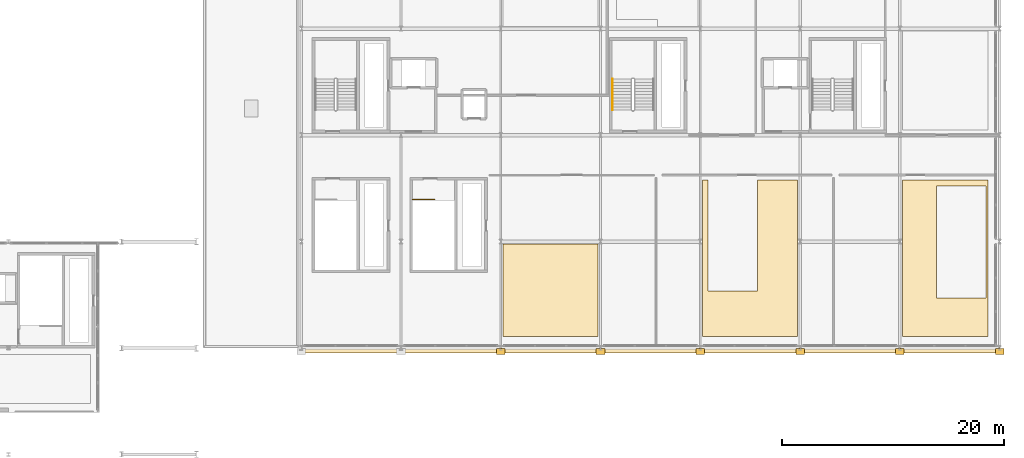
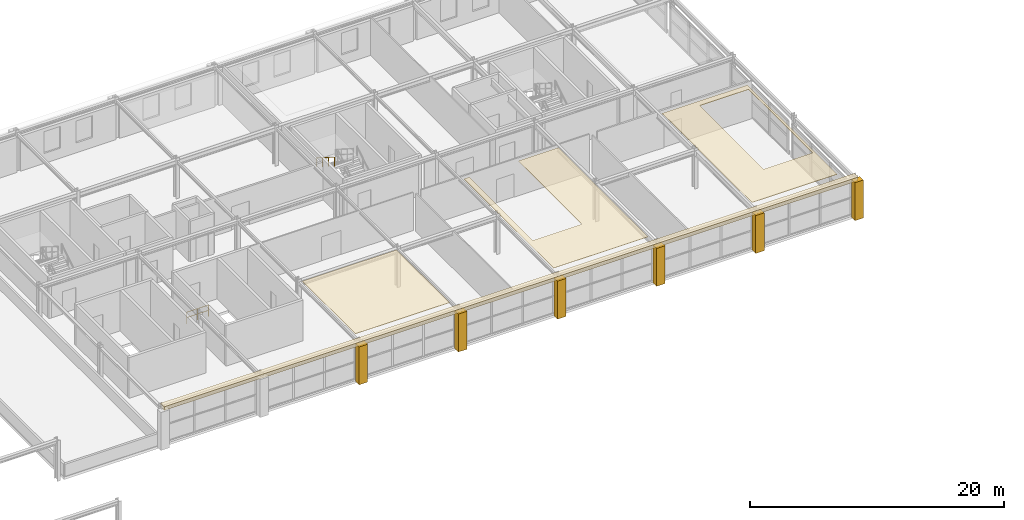
# One storey, part 49 of 52: 10 coverings, 2 railings.
"""IFC4 building model written with IfcOpenShell, lengths in metres."""

from ifc_helpers import new_model, si_unit, direction, frame, origin, origin_2d, place, context, subcontext, project, spatial, polyline, rectangle, outline, extrude, material, layer, layer_set, type_object, element, save


model = new_model("IFC4")

# Units and contexts
model_context = context("Model", 3, precision=1e-05, world=origin(), true_north=direction((0.0, 1.0)))
body_context = subcontext(model_context, "Body", "Model", "MODEL_VIEW")
ifc_project = project(units=[si_unit("LENGTHUNIT", "METRE"), si_unit("AREAUNIT", "SQUARE_METRE"), si_unit("VOLUMEUNIT", "CUBIC_METRE"), si_unit("PLANEANGLEUNIT", "RADIAN"), si_unit("MASSUNIT", "GRAM", prefix="KILO")], contexts=[model_context])

# Site, building, storey
site_placement = place(None, origin())
site = spatial("IfcSite", under=ifc_project, at=site_placement, CompositionType="ELEMENT")
building_placement = place(site_placement, origin())
building = spatial("IfcBuilding", under=site, at=building_placement, Name="Myrtia Square Station", CompositionType="ELEMENT")
storey_placement = place(building_placement, frame((0.0, 0.0, 15.0)))
storey = spatial("IfcBuildingStorey", under=building, at=storey_placement, Name="L03", CompositionType="ELEMENT", Elevation=15.0)

# Coverings
ifc_material_1 = material(Name="Pentelic marble ashlar", Category="masonry")
ifc_layer_1 = layer(ifc_material_1, 0.4599609375, Name="Pentelic marble ashlar")
ifc_layer_set_1 = layer_set([ifc_layer_1], Name="Pentelic marble ashlar")
covering_type_1 = type_object("IfcCoveringType", Name="COV-ARCH-ASHLAR", PredefinedType="CLADDING", material=ifc_layer_set_1)
for number, where, z_axis, x_axis, name in (
    (1, (144.0, 86.080078125, -0.0400390625), (0.0, 0.0, 1.0), (1.0, 0.0, 0.0), "Classical Pentelic ashlar pilaster 083"),
    (2, (153.0, 86.080078125, -0.0400390625), (0.0, 0.0, 1.0), (1.0, 0.0, 0.0), "Classical Pentelic ashlar pilaster 092"),
    (3, (162.0, 86.080078125, -0.0400390625), (0.0, 0.0, 1.0), (1.0, 0.0, 0.0), "Classical Pentelic ashlar pilaster 101"),
    (4, (171.0, 86.080078125, -0.0400390625), (0.0, 0.0, 1.0), (1.0, 0.0, 0.0), "Classical Pentelic ashlar pilaster 111"),
    (5, (180.0, 86.080078125, -0.0400390625), (0.0, 0.0, 1.0), (1.0, 0.0, 0.0), "Classical Pentelic ashlar pilaster 121"),
    (6, (189.0, 86.080078125, -0.0400390625), (0.0, 0.0, 1.0), (1.0, 0.0, 0.0), "Classical Pentelic ashlar pilaster 130"),
):
    element("IfcCovering", number, at=place(storey_placement, frame(where, z_axis=z_axis, x_axis=x_axis)), inside=storey, type_object=covering_type_1, Name=name, PredefinedType="CLADDING", context=body_context, shape_type="SweptSolid", body=[
        extrude(rectangle(XDim=0.780029296875, YDim=0.56005859375, at=origin_2d()), origin(), (0.0, 0.0, 1.0), 3.639892578125),
    ])
ifc_material_2 = material(Name="Gypsum plasterboard")
ifc_layer_2 = layer(ifc_material_2, 0.034912109375, Name="Gypsum plasterboard")
ifc_layer_set_2 = layer_set([ifc_layer_2], Name="Gypsum plasterboard")
covering_type_2 = type_object("IfcCoveringType", Name="COV-CEIL-ACOUSTIC", PredefinedType="CEILING", material=ifc_layer_set_2)
covering_1_placement = place(storey_placement, frame((0.0, 0.0, 3.625)))
element("IfcCovering", 7, at=covering_1_placement, inside=storey, type_object=covering_type_2, Name="Acoustic coffer ceiling L03-12", PredefinedType="CEILING", context=body_context, shape_type="SweptSolid", body=[
    extrude(outline(polyline([(162.699951171875, 101.550048828125), (162.699951171875, 91.550048828125), (167.159912109375, 91.550048828125), (167.159912109375, 101.550048828125), (170.780029296875, 101.550048828125), (170.780029296875, 96.050048828125), (170.781005859375, 96.0283203125), (170.7841796875, 96.007080078125), (170.785888671875, 96.0), (170.7841796875, 95.992919921875), (170.781005859375, 95.9716796875), (170.780029296875, 95.949951171875), (170.780029296875, 87.449951171875), (162.219970703125, 87.449951171875), (162.219970703125, 95.949951171875), (162.218994140625, 95.9716796875), (162.2158203125, 95.992919921875), (162.214111328125, 96.0), (162.2158203125, 96.007080078125), (162.218994140625, 96.0283203125), (162.219970703125, 96.050048828125), (162.219970703125, 101.550048828125), (162.699951171875, 101.550048828125)])), origin(), (0.0, 0.0, 1.0), 0.034912109375),
])
ifc_material_3 = material(Name="Acoustic European oak timber", Category="wood")
ifc_layer_3 = layer(ifc_material_3, 0.044921875, Name="Acoustic European oak timber")
ifc_layer_set_3 = layer_set([ifc_layer_3], Name="Acoustic European oak timber")
covering_type_3 = type_object("IfcCoveringType", Name="COV-CEIL-OAK", PredefinedType="CEILING", material=ifc_layer_set_3)
covering_2_placement = place(storey_placement, frame((0.0, 0.0, 3.614990234375)))
element("IfcCovering", 8, at=covering_2_placement, inside=storey, type_object=covering_type_3, Name="Acoustic coffer ceiling L03-11", PredefinedType="CEILING", context=body_context, shape_type="SweptSolid", body=[
    extrude(outline(polyline([(144.219970703125, 87.449951171875), (144.219970703125, 95.780029296875), (152.780029296875, 95.780029296875), (152.780029296875, 87.449951171875), (144.219970703125, 87.449951171875)])), origin(), (0.0, 0.0, 1.0), 0.044921875),
])
covering_3_placement = place(storey_placement, frame((0.0, 0.0, 3.614990234375)))
element("IfcCovering", 9, at=covering_3_placement, inside=storey, type_object=covering_type_3, Name="Acoustic coffer ceiling L03-13", PredefinedType="CEILING", context=body_context, shape_type="SweptSolid", body=[
    extrude(outline(polyline([(187.949951171875, 101.550048828125), (187.949951171875, 87.449951171875), (180.219970703125, 87.449951171875), (180.219970703125, 95.949951171875), (180.218994140625, 95.9716796875), (180.2158203125, 95.992919921875), (180.214111328125, 96.0), (180.2158203125, 96.007080078125), (180.218994140625, 96.0283203125), (180.219970703125, 96.050048828125), (180.219970703125, 101.550048828125), (187.949951171875, 101.550048828125)]), holes=[polyline([(183.2900390625, 101.0), (183.2900390625, 90.929931640625), (187.75, 90.929931640625), (187.75, 101.0), (183.2900390625, 101.0)])]), origin(), (0.0, 0.0, 1.0), 0.044921875),
])
ifc_layer_4 = layer(ifc_material_1, 0.47998046875, Name="Pentelic marble ashlar")
ifc_layer_set_4 = layer_set([ifc_layer_4], Name="Pentelic marble ashlar")
covering_type_4 = type_object("IfcCoveringType", Name="COV-CORNICE-ASHLAR", PredefinedType="MOLDING", material=ifc_layer_set_4)
covering_4_placement = place(storey_placement, frame((157.5, 86.22998046875, 3.580078125), z_axis=(0.0, 0.0, 1.0), x_axis=(1.0, 0.0, 0.0)))
element("IfcCovering", 10, at=covering_4_placement, inside=storey, type_object=covering_type_4, Name="Classical entablature cornice moulding 012", PredefinedType="MOLDING", context=body_context, shape_type="SweptSolid", body=[
    extrude(rectangle(XDim=63.0, YDim=0.580078125, at=origin_2d()), origin(), (0.0, 0.0, 1.0), 0.360107421875),
])

# Railings
ifc_material_4 = material(Name="Dark bronze anodised aluminium", Category="aluminium")
railing_type_1 = type_object("IfcRailingType", Name="RL-HANDRAIL-900", PredefinedType="HANDRAIL", material=ifc_material_4)
railing_1_placement = place(storey_placement, frame((154.10009765625, 110.64990234375, 2.127197265625)))
element("IfcRailing", 11, at=railing_1_placement, inside=storey, type_object=railing_type_1, Name="L03 ST15 stair handrail 2", PredefinedType="HANDRAIL", context=body_context, shape_type="SweptSolid", body=[
    extrude(rectangle(XDim=0.048095703125, YDim=0.048095703125, at=origin_2d()), frame((0.0, -0.029296875, 0.894287109375), z_axis=(0.0, -0.844887892834, 0.53494340686), x_axis=(1.0, 0.0, 0.0)), (0.0, 0.0, 1.0), 1.035400390625),
    extrude(rectangle(XDim=0.048095703125, YDim=0.048095703125, at=origin_2d()), frame((0.0, -0.962646484375, 1.4853515625), z_axis=(0.0, -0.844887892834, 0.53494340686), x_axis=(1.0, 0.0, 0.0)), (0.0, 0.0, 1.0), 1.035400390625),
    extrude(rectangle(XDim=0.048095703125, YDim=0.048095703125, at=origin_2d()), frame((0.0, -1.895751953125, 2.076171875), z_axis=(0.0, -0.844887892834, 0.53494340686), x_axis=(1.0, 0.0, 0.0)), (0.0, 0.0, 1.0), 1.035400390625),
    extrude(rectangle(XDim=0.0439453125, YDim=0.0439453125, at=origin_2d()), origin(), (0.0, 0.0, 1.0), 0.89990234375),
    extrude(rectangle(XDim=0.0439453125, YDim=0.0439453125, at=origin_2d()), frame((0.0, -0.933349609375, 0.5908203125)), (0.0, 0.0, 1.0), 0.89990234375),
    extrude(rectangle(XDim=0.0439453125, YDim=0.0439453125, at=origin_2d()), frame((0.0, -1.866455078125, 1.181884765625)), (0.0, 0.0, 1.0), 0.89990234375),
    extrude(rectangle(XDim=0.0439453125, YDim=0.0439453125, at=origin_2d()), frame((0.0, -2.7998046875, 1.772705078125)), (0.0, 0.0, 1.0), 0.89990234375),
])
ifc_material_5 = material(Name="Wrought iron", Category="steel")
railing_type_2 = type_object("IfcRailingType", Name="RL-INT-GUARD-1100", PredefinedType="BALUSTRADE", material=ifc_material_5)
railing_2_placement = place(storey_placement, frame((136.050048828125, 99.800048828125, 0.0)))
element("IfcRailing", 12, at=railing_2_placement, inside=storey, type_object=railing_type_2, Name="L03 ST13 top well guard 1", PredefinedType="BALUSTRADE", context=body_context, shape_type="SweptSolid", body=[
    extrude(rectangle(XDim=0.048095703125, YDim=0.048095703125, at=origin_2d()), frame((0.03466796875, 0.0, 1.09619140625), z_axis=(1.0, 0.0, 0.0), x_axis=(0.0, 1.0, 0.0)), (0.0, 0.0, 1.0), 0.91064453125),
    extrude(rectangle(XDim=0.048095703125, YDim=0.048095703125, at=origin_2d()), frame((0.03466796875, 0.0, 0.58251953125), z_axis=(1.0, 0.0, 0.0), x_axis=(0.0, 1.0, 0.0)), (0.0, 0.0, 1.0), 0.91064453125),
    extrude(rectangle(XDim=0.048095703125, YDim=0.048095703125, at=origin_2d()), frame((1.0146484375, 0.0, 1.09619140625), z_axis=(1.0, 0.0, 0.0), x_axis=(0.0, 1.0, 0.0)), (0.0, 0.0, 1.0), 0.91064453125),
    extrude(rectangle(XDim=0.048095703125, YDim=0.048095703125, at=origin_2d()), frame((1.0146484375, 0.0, 0.58251953125), z_axis=(1.0, 0.0, 0.0), x_axis=(0.0, 1.0, 0.0)), (0.0, 0.0, 1.0), 0.91064453125),
    extrude(rectangle(XDim=0.0439453125, YDim=0.0439453125, at=origin_2d()), origin(), (0.0, 0.0, 1.0), 1.1201171875),
    extrude(rectangle(XDim=0.0439453125, YDim=0.0439453125, at=origin_2d()), frame((0.97998046875, 0.0, 0.0)), (0.0, 0.0, 1.0), 1.1201171875),
    extrude(rectangle(XDim=0.0439453125, YDim=0.0439453125, at=origin_2d()), frame((1.9599609375, 0.0, 0.0)), (0.0, 0.0, 1.0), 1.1201171875),
])

save(model, "model.ifc")
